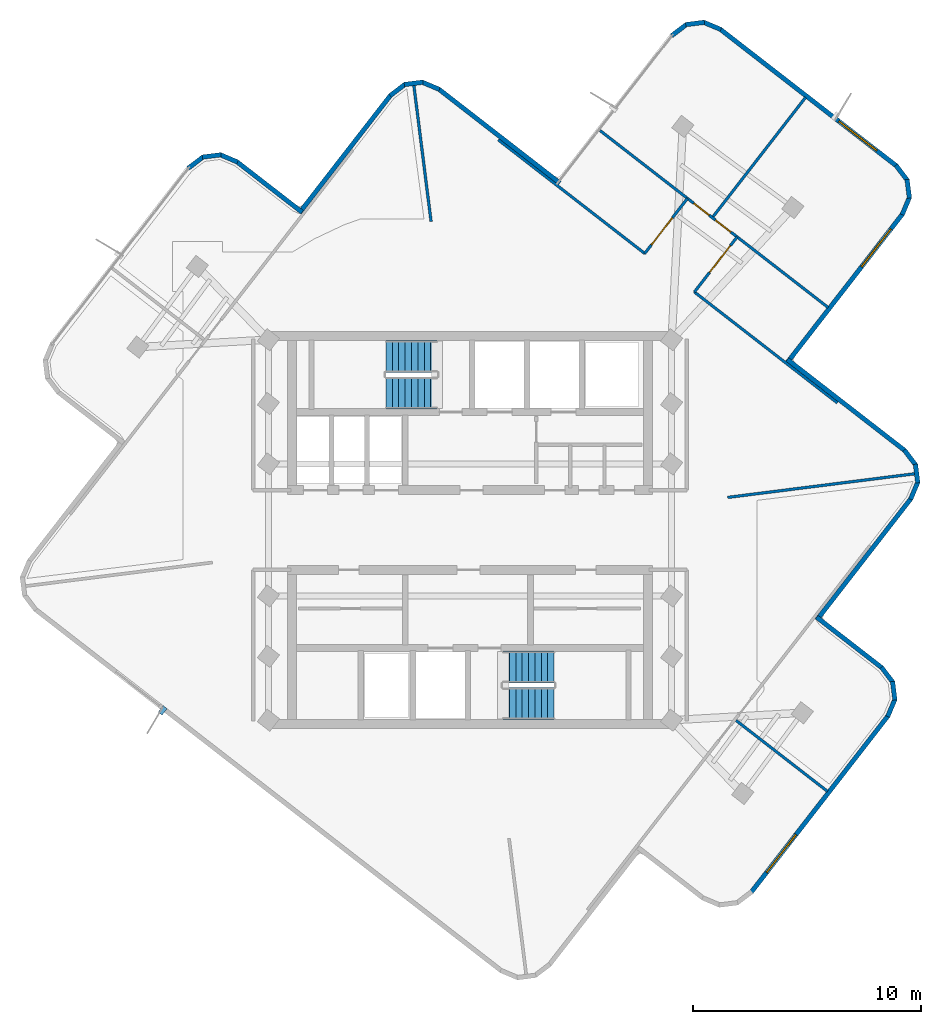
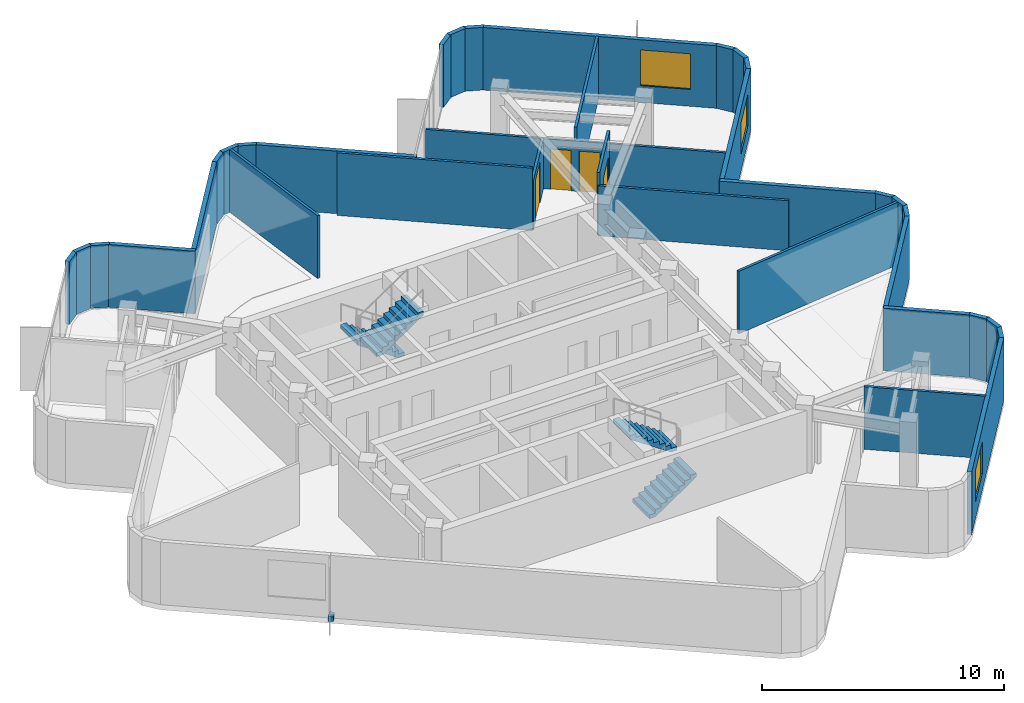
# One storey, part 7 of 10: 36 walls, 4 doors, 4 stair flights, 3 windows, 1 discrete accessory, 7 openings, 2 elements without a shape of their own.
"""IFC4 building model written with IfcOpenShell, lengths in metres."""

from ifc_helpers import new_model, si_unit, direction, frame, frame_2d, origin, origin_2d, place, context, subcontext, project, spatial, polyline, rectangle, outline, extrude, material, layer, layer_set, type_object, element, fill, aggregate, save


model = new_model("IFC4")

# Units and contexts
model_context = context("Model", 3, precision=1e-05, world=origin(), true_north=direction((0.0, 1.0)))
body_context = subcontext(model_context, "Body", "Model", "MODEL_VIEW")
ifc_project = project(units=[si_unit("LENGTHUNIT", "METRE"), si_unit("AREAUNIT", "SQUARE_METRE"), si_unit("VOLUMEUNIT", "CUBIC_METRE"), si_unit("PLANEANGLEUNIT", "RADIAN"), si_unit("MASSUNIT", "GRAM", prefix="KILO")], contexts=[model_context])

# Site, building, storey
site_placement = place(None, origin())
site = spatial("IfcSite", under=ifc_project, at=site_placement, CompositionType="ELEMENT")
building_placement = place(site_placement, origin())
building = spatial("IfcBuilding", under=site, at=building_placement, Name="Solmarez Civic Tower", CompositionType="ELEMENT")
storey_placement = place(building_placement, frame((0.0, 0.0, 261.179931640625)))
storey = spatial("IfcBuildingStorey", under=building, at=storey_placement, Name="L70", CompositionType="ELEMENT", Elevation=261.179931640625)

# Walls
ifc_material_1 = material(Name="Precast concrete C40/50", Category="concrete")
ifc_layer_1 = layer(ifc_material_1, 0.199951171875)
ifc_layer_set_1 = layer_set([ifc_layer_1], Name="Precast concrete C40/50")
wall_type_1 = type_object("IfcWallType", Name="WALL-EXT-200", PredefinedType="SOLIDWALL", material=ifc_layer_set_1)
wall_1_placement = place(storey_placement, frame((-12.3720703125, 15.876953125, 0.0), z_axis=(0.0, 0.0, 1.0), x_axis=(0.796493049564, 0.60464768419, 0.0)))
element("IfcWall", 1, at=wall_1_placement, inside=storey, type_object=wall_type_1, Name="L70 Exterior Precast Wall 18", PredefinedType="SOLIDWALL", context=body_context, shape_type="SweptSolid", body=[
    extrude(rectangle(XDim=0.838623046875, YDim=0.199951171875, at=frame_2d((0.41943359375, 0.0))), origin(), (0.0, 0.0, 1.0), 3.16015625),
])
wall_2_placement = place(storey_placement, frame((-11.7490234375, 16.365966796875, 0.0), z_axis=(0.0, 0.0, 1.0), x_axis=(0.992182038023, 0.124799052175, 0.0)))
element("IfcWall", 2, at=wall_2_placement, inside=storey, type_object=wall_type_1, Name="L70 Exterior Precast Wall 19", PredefinedType="SOLIDWALL", context=body_context, shape_type="SweptSolid", body=[
    extrude(rectangle(XDim=0.825439453125, YDim=0.199951171875, at=frame_2d((0.41259765625, 0.0))), origin(), (0.0, 0.0, 1.0), 3.16015625),
])
wall_3_placement = place(storey_placement, frame((-10.97802734375, 16.47607421875, 0.0), z_axis=(0.0, 0.0, 1.0), x_axis=(0.921328331513, -0.388785423532, 0.0)))
element("IfcWall", 3, at=wall_3_placement, inside=storey, type_object=wall_type_1, Name="L70 Exterior Precast Wall 20", PredefinedType="SOLIDWALL", context=body_context, shape_type="SweptSolid", body=[
    extrude(rectangle(XDim=0.8388671875, YDim=0.199951171875, at=frame_2d((0.41943359375, 0.0))), origin(), (0.0, 0.0, 1.0), 3.16015625),
])
wall_4_placement = place(storey_placement, frame((-10.248046875, 16.175048828125, 0.0), z_axis=(0.0, 0.0, 1.0), x_axis=(0.790239683444, -0.612797880797, 0.0)))
element("IfcWall", 4, at=wall_4_placement, inside=storey, type_object=wall_type_1, Name="L70 Exterior Precast Wall 21", PredefinedType="SOLIDWALL", context=body_context, shape_type="SweptSolid", body=[
    extrude(rectangle(XDim=3.640625, YDim=0.199951171875, at=frame_2d((1.8203125, 0.0))), origin(), (0.0, 0.0, 1.0), 3.16015625),
])
wall_5_placement = place(storey_placement, frame((-7.48291015625, 13.929931640625, 0.0), z_axis=(0.0, 0.0, 1.0), x_axis=(0.612826373036, 0.790217588081, 0.0)))
element("IfcWall", 5, at=wall_5_placement, inside=storey, type_object=wall_type_1, Name="L70 Exterior Precast Wall 24", PredefinedType="SOLIDWALL", context=body_context, shape_type="SweptSolid", body=[
    extrude(rectangle(XDim=6.54150390625, YDim=0.199951171875, at=frame_2d((3.270751953125, 0.0))), origin(), (0.0, 0.0, 1.0), 3.16015625),
])
wall_6_placement = place(storey_placement, frame((-3.509033203125, 19.06396484375, 0.0), z_axis=(0.0, 0.0, 1.0), x_axis=(0.797053904317, 0.603908166539, 0.0)))
element("IfcWall", 6, at=wall_6_placement, inside=storey, type_object=wall_type_1, Name="L70 Exterior Precast Wall 25", PredefinedType="SOLIDWALL", context=body_context, shape_type="SweptSolid", body=[
    extrude(rectangle(XDim=0.838134765625, YDim=0.199951171875, at=frame_2d((0.4189453125, 0.0))), origin(), (0.0, 0.0, 1.0), 3.16015625),
])
wall_7_placement = place(storey_placement, frame((-2.885986328125, 19.552001953125, 0.0), z_axis=(0.0, 0.0, 1.0), x_axis=(0.992182038023, 0.124799052175, 0.0)))
element("IfcWall", 7, at=wall_7_placement, inside=storey, type_object=wall_type_1, Name="L70 Exterior Precast Wall 26", PredefinedType="SOLIDWALL", context=body_context, shape_type="SweptSolid", body=[
    extrude(rectangle(XDim=0.825439453125, YDim=0.199951171875, at=frame_2d((0.41259765625, 0.0))), origin(), (0.0, 0.0, 1.0), 3.16015625),
])
wall_8_placement = place(storey_placement, frame((-2.114990234375, 19.662109375, 0.0), z_axis=(0.0, 0.0, 1.0), x_axis=(0.921569528133, -0.388213349612, 0.0)))
element("IfcWall", 8, at=wall_8_placement, inside=storey, type_object=wall_type_1, Name="L70 Exterior Precast Wall 27", PredefinedType="SOLIDWALL", context=body_context, shape_type="SweptSolid", body=[
    extrude(rectangle(XDim=0.837646484375, YDim=0.199951171875, at=frame_2d((0.4189453125, 0.0))), origin(), (0.0, 0.0, 1.0), 3.16015625),
])
wall_9_placement = place(storey_placement, frame((-1.385986328125, 19.362060546875, 0.0), z_axis=(0.0, 0.0, 1.0), x_axis=(0.790076990755, -0.613007625303, 0.0)))
element("IfcWall", 9, at=wall_9_placement, inside=storey, type_object=wall_type_1, Name="L70 Exterior Precast Wall 28", PredefinedType="SOLIDWALL", context=body_context, shape_type="SweptSolid", body=[
    extrude(rectangle(XDim=6.7421875, YDim=0.199951171875, at=frame_2d((3.37109375, 0.0))), origin(), (0.0, 0.0, 1.0), 3.16015625),
])
wall_10_placement = place(storey_placement, frame((8.845947265625, 21.693115234375, 0.0), z_axis=(0.0, 0.0, 1.0), x_axis=(0.796633253556, 0.604462951163, 0.0)))
element("IfcWall", 10, at=wall_10_placement, inside=storey, type_object=wall_type_1, Name="L70 Exterior Precast Wall 32", PredefinedType="SOLIDWALL", context=body_context, shape_type="SweptSolid", body=[
    extrude(rectangle(XDim=0.83837890625, YDim=0.199951171875, at=frame_2d((0.419189453125, 0.0))), origin(), (0.0, 0.0, 1.0), 3.16015625),
])
wall_11_placement = place(storey_placement, frame((9.468994140625, 22.181884765625, 0.0), z_axis=(0.0, 0.0, 1.0), x_axis=(0.992163581644, 0.124945697241, 0.0)))
element("IfcWall", 11, at=wall_11_placement, inside=storey, type_object=wall_type_1, Name="L70 Exterior Precast Wall 33", PredefinedType="SOLIDWALL", context=body_context, shape_type="SweptSolid", body=[
    extrude(rectangle(XDim=0.824462890625, YDim=0.199951171875, at=frame_2d((0.412109375, 0.0))), origin(), (0.0, 0.0, 1.0), 3.16015625),
])
wall_12_placement = place(storey_placement, frame((10.239013671875, 22.2919921875, 0.0), z_axis=(0.0, 0.0, 1.0), x_axis=(0.92184898946, -0.387549275101, 0.0)))
element("IfcWall", 12, at=wall_12_placement, inside=storey, type_object=wall_type_1, Name="L70 Exterior Precast Wall 34", PredefinedType="SOLIDWALL", context=body_context, shape_type="SweptSolid", body=[
    extrude(rectangle(XDim=0.83837890625, YDim=0.199951171875, at=frame_2d((0.419189453125, 0.0))), origin(), (0.0, 0.0, 1.0), 3.16015625),
])

# Wall, opening, window
wall_13_placement = place(storey_placement, frame((10.968994140625, 21.991943359375, 0.0), z_axis=(0.0, 0.0, 1.0), x_axis=(0.790145127041, -0.612919797537, 0.0)))
wall_13 = element("IfcWall", 13, at=wall_13_placement, inside=storey, type_object=wall_type_1, Name="L70 Exterior Precast Wall 35", PredefinedType="SOLIDWALL", context=body_context, shape_type="SweptSolid", body=[
    extrude(rectangle(XDim=9.823486328125, YDim=0.199951171875, at=frame_2d((4.91162109375, 0.0))), origin(), (0.0, 0.0, 1.0), 3.16015625),
])
opening_1_placement = place(wall_13_placement, frame((6.612060546875, 0.0, 0.85009765625)))
opening_1 = element("IfcOpeningElement", 14, at=opening_1_placement, cuts=wall_13, Name="Opening W-07", PredefinedType="OPENING", context=body_context, shape_type="SweptSolid", body=[
    extrude(rectangle(XDim=2.10009765625, YDim=1.800048828125, at=frame_2d((1.050048828125, 0.89990234375))), frame((0.0, 0.10986328125, 0.0), z_axis=(0.0, -1.0, 0.0), x_axis=(1.0, 0.0, 0.0)), (0.0, 0.0, 1.0), 0.219970703125),
])
ifc_material_2 = material(Name="Solar Control Bronze-Tinted Insulating Glass", Category="glass")
window_type_1 = type_object("IfcWindowType", Name="WIN-2100X1800", PartitioningType="SINGLE_PANEL", PredefinedType="WINDOW", material=ifc_material_2)
window_1_placement = place(opening_1_placement, origin())
window_1 = element("IfcWindow", 15, at=window_1_placement, inside=storey, type_object=window_type_1, Name="L70 Exterior Facade Window 35", OverallHeight=1.800048828125, OverallWidth=2.10009765625, PartitioningType="SINGLE_PANEL", PredefinedType="WINDOW", context=body_context, shape_type="SweptSolid", body=[
    extrude(rectangle(XDim=2.10009765625, YDim=1.800048828125, at=frame_2d((1.050048828125, 0.89990234375))), frame((0.0, 0.030029296875, 0.0), z_axis=(0.0, -1.0, 0.0), x_axis=(1.0, 0.0, 0.0)), (0.0, 0.0, 1.0), 0.06005859375),
])
fill(opening_1, window_1)

# Walls
wall_14_placement = place(storey_placement, frame((18.696044921875, 16.006103515625, 0.0), z_axis=(0.0, 0.0, 1.0), x_axis=(0.604322767077, -0.796739601873, 0.0)))
element("IfcWall", 16, at=wall_14_placement, inside=storey, type_object=wall_type_1, Name="L70 Exterior Precast Wall 36", PredefinedType="SOLIDWALL", context=body_context, shape_type="SweptSolid", body=[
    extrude(rectangle(XDim=0.838623046875, YDim=0.199951171875, at=frame_2d((0.41943359375, 0.0))), origin(), (0.0, 0.0, 1.0), 3.16015625),
])
wall_15_placement = place(storey_placement, frame((19.18505859375, 15.383056640625, 0.0), z_axis=(0.0, 0.0, 1.0), x_axis=(0.124945697241, -0.992163581644, 0.0)))
element("IfcWall", 17, at=wall_15_placement, inside=storey, type_object=wall_type_1, Name="L70 Exterior Precast Wall 37", PredefinedType="SOLIDWALL", context=body_context, shape_type="SweptSolid", body=[
    extrude(rectangle(XDim=0.824462890625, YDim=0.199951171875, at=frame_2d((0.412109375, 0.0))), origin(), (0.0, 0.0, 1.0), 3.16015625),
])
wall_16_placement = place(storey_placement, frame((19.294921875, 14.613037109375, 0.0), z_axis=(0.0, 0.0, 1.0), x_axis=(-0.387549275101, -0.92184898946, 0.0)))
element("IfcWall", 18, at=wall_16_placement, inside=storey, type_object=wall_type_1, Name="L70 Exterior Precast Wall 38", PredefinedType="SOLIDWALL", context=body_context, shape_type="SweptSolid", body=[
    extrude(rectangle(XDim=0.83837890625, YDim=0.199951171875, at=frame_2d((0.419189453125, 0.0))), origin(), (0.0, 0.0, 1.0), 3.16015625),
])

# Wall, opening, window
wall_17_placement = place(storey_placement, frame((18.9951171875, 13.883056640625, 0.0), z_axis=(0.0, 0.0, 1.0), x_axis=(-0.612894114019, -0.790165049215, 0.0)))
wall_17 = element("IfcWall", 19, at=wall_17_placement, inside=storey, type_object=wall_type_1, Name="L70 Exterior Precast Wall 39", PredefinedType="SOLIDWALL", context=body_context, shape_type="SweptSolid", body=[
    extrude(rectangle(XDim=8.2412109375, YDim=0.199951171875, at=frame_2d((4.12060546875, 0.0))), origin(), (0.0, 0.0, 1.0), 3.16015625),
])
opening_2_placement = place(wall_17_placement, frame((0.85009765625, 0.0, 0.85009765625)))
opening_2 = element("IfcOpeningElement", 20, at=opening_2_placement, cuts=wall_17, Name="Opening W-11", PredefinedType="OPENING", context=body_context, shape_type="SweptSolid", body=[
    extrude(rectangle(XDim=2.10009765625, YDim=1.60009765625, at=frame_2d((1.050048828125, 0.800048828125))), frame((0.0, 0.10986328125, 0.0), z_axis=(0.0, -1.0, 0.0), x_axis=(1.0, 0.0, 0.0)), (0.0, 0.0, 1.0), 0.219970703125),
])
window_type_2 = type_object("IfcWindowType", Name="WIN-2100X1600", PartitioningType="SINGLE_PANEL", PredefinedType="WINDOW", material=ifc_material_2)
window_2_placement = place(opening_2_placement, origin())
window_2 = element("IfcWindow", 21, at=window_2_placement, inside=storey, type_object=window_type_2, Name="L70 Exterior Facade Window 39", OverallHeight=1.60009765625, OverallWidth=2.10009765625, PartitioningType="SINGLE_PANEL", PredefinedType="WINDOW", context=body_context, shape_type="SweptSolid", body=[
    extrude(rectangle(XDim=2.10009765625, YDim=1.60009765625, at=frame_2d((1.050048828125, 0.800048828125))), frame((0.0, 0.030029296875, 0.0), z_axis=(0.0, -1.0, 0.0), x_axis=(1.0, 0.0, 0.0)), (0.0, 0.0, 1.0), 0.06005859375),
])
fill(opening_2, window_2)

# Walls
wall_18_placement = place(storey_placement, frame((13.929931640625, 7.48291015625, 0.0), z_axis=(0.0, 0.0, 1.0), x_axis=(0.790217588081, -0.612826373036, 0.0)))
element("IfcWall", 22, at=wall_18_placement, inside=storey, type_object=wall_type_1, Name="L70 Exterior Precast Wall 42", PredefinedType="SOLIDWALL", context=body_context, shape_type="SweptSolid", body=[
    extrude(rectangle(XDim=6.54150390625, YDim=0.199951171875, at=frame_2d((3.270751953125, 0.0))), origin(), (0.0, 0.0, 1.0), 3.16015625),
])
wall_19_placement = place(storey_placement, frame((19.06396484375, 3.509033203125, 0.0), z_axis=(0.0, 0.0, 1.0), x_axis=(0.603908166539, -0.797053904317, 0.0)))
element("IfcWall", 23, at=wall_19_placement, inside=storey, type_object=wall_type_1, Name="L70 Exterior Precast Wall 43", PredefinedType="SOLIDWALL", context=body_context, shape_type="SweptSolid", body=[
    extrude(rectangle(XDim=0.838134765625, YDim=0.199951171875, at=frame_2d((0.4189453125, 0.0))), origin(), (0.0, 0.0, 1.0), 3.16015625),
])
wall_20_placement = place(storey_placement, frame((19.552001953125, 2.885986328125, 0.0), z_axis=(0.0, 0.0, 1.0), x_axis=(0.124799052175, -0.992182038023, 0.0)))
element("IfcWall", 24, at=wall_20_placement, inside=storey, type_object=wall_type_1, Name="L70 Exterior Precast Wall 44", PredefinedType="SOLIDWALL", context=body_context, shape_type="SweptSolid", body=[
    extrude(rectangle(XDim=0.825439453125, YDim=0.199951171875, at=frame_2d((0.41259765625, 0.0))), origin(), (0.0, 0.0, 1.0), 3.16015625),
])
wall_21_placement = place(storey_placement, frame((19.662109375, 2.114990234375, 0.0), z_axis=(0.0, 0.0, 1.0), x_axis=(-0.388213349612, -0.921569528133, 0.0)))
element("IfcWall", 25, at=wall_21_placement, inside=storey, type_object=wall_type_1, Name="L70 Exterior Precast Wall 45", PredefinedType="SOLIDWALL", context=body_context, shape_type="SweptSolid", body=[
    extrude(rectangle(XDim=0.837646484375, YDim=0.199951171875, at=frame_2d((0.4189453125, 0.0))), origin(), (0.0, 0.0, 1.0), 3.16015625),
])
wall_22_placement = place(storey_placement, frame((19.362060546875, 1.385986328125, 0.0), z_axis=(0.0, 0.0, 1.0), x_axis=(-0.613007625303, -0.790076990755, 0.0)))
element("IfcWall", 26, at=wall_22_placement, inside=storey, type_object=wall_type_1, Name="L70 Exterior Precast Wall 46", PredefinedType="SOLIDWALL", context=body_context, shape_type="SweptSolid", body=[
    extrude(rectangle(XDim=6.7421875, YDim=0.199951171875, at=frame_2d((3.37109375, 0.0))), origin(), (0.0, 0.0, 1.0), 3.16015625),
])
wall_23_placement = place(storey_placement, frame((15.215087890625, -3.8291015625, 0.0), z_axis=(0.0, 0.0, 1.0), x_axis=(0.790311198889, -0.612705646221, 0.0)))
element("IfcWall", 27, at=wall_23_placement, inside=storey, type_object=wall_type_1, Name="L70 Exterior Precast Wall 49", PredefinedType="SOLIDWALL", context=body_context, shape_type="SweptSolid", body=[
    extrude(rectangle(XDim=3.642822265625, YDim=0.199951171875, at=frame_2d((1.8212890625, 0.0))), origin(), (0.0, 0.0, 1.0), 3.16015625),
])
wall_24_placement = place(storey_placement, frame((18.05908203125, -6.02587890625, 0.0), z_axis=(0.0, 0.0, 1.0), x_axis=(0.603582833373, -0.797300296787, 0.0)))
element("IfcWall", 28, at=wall_24_placement, inside=storey, type_object=wall_type_1, Name="L70 Exterior Precast Wall 50", PredefinedType="SOLIDWALL", context=body_context, shape_type="SweptSolid", body=[
    extrude(rectangle(XDim=0.838134765625, YDim=0.199951171875, at=frame_2d((0.4189453125, 0.0))), origin(), (0.0, 0.0, 1.0), 3.16015625),
])
wall_25_placement = place(storey_placement, frame((18.547119140625, -6.64892578125, 0.0), z_axis=(0.0, 0.0, 1.0), x_axis=(0.124507909692, -0.992218615238, 0.0)))
element("IfcWall", 29, at=wall_25_placement, inside=storey, type_object=wall_type_1, Name="L70 Exterior Precast Wall 51", PredefinedType="SOLIDWALL", context=body_context, shape_type="SweptSolid", body=[
    extrude(rectangle(XDim=0.825439453125, YDim=0.199951171875, at=frame_2d((0.41259765625, 0.0))), origin(), (0.0, 0.0, 1.0), 3.16015625),
])
wall_26_placement = place(storey_placement, frame((18.656982421875, -7.419921875, 0.0), z_axis=(0.0, 0.0, 1.0), x_axis=(-0.387965780676, -0.921673777985, 0.0)))
element("IfcWall", 30, at=wall_26_placement, inside=storey, type_object=wall_type_1, Name="L70 Exterior Precast Wall 52", PredefinedType="SOLIDWALL", context=body_context, shape_type="SweptSolid", body=[
    extrude(rectangle(XDim=0.837646484375, YDim=0.199951171875, at=frame_2d((0.4189453125, 0.0))), origin(), (0.0, 0.0, 1.0), 3.16015625),
])

# Wall, opening, window
wall_27_placement = place(storey_placement, frame((18.35693359375, -8.14892578125, 0.0), z_axis=(0.0, 0.0, 1.0), x_axis=(-0.612797548915, -0.790239940806, 0.0)))
wall_27 = element("IfcWall", 31, at=wall_27_placement, inside=storey, type_object=wall_type_1, Name="L70 Exterior Precast Wall 53", PredefinedType="SOLIDWALL", context=body_context, shape_type="SweptSolid", body=[
    extrude(rectangle(XDim=9.82373046875, YDim=0.199951171875, at=frame_2d((4.911865234375, 0.0))), origin(), (0.0, 0.0, 1.0), 3.16015625),
])
opening_3_placement = place(wall_27_placement, frame((6.612060546875, 0.0, 0.85009765625)))
opening_3 = element("IfcOpeningElement", 32, at=opening_3_placement, cuts=wall_27, Name="Opening W-11", PredefinedType="OPENING", context=body_context, shape_type="SweptSolid", body=[
    extrude(rectangle(XDim=2.10009765625, YDim=1.60009765625, at=frame_2d((1.050048828125, 0.800048828125))), frame((0.0, 0.10986328125, 0.0), z_axis=(0.0, -1.0, 0.0), x_axis=(1.0, 0.0, 0.0)), (0.0, 0.0, 1.0), 0.219970703125),
])
window_3_placement = place(opening_3_placement, origin())
window_3 = element("IfcWindow", 33, at=window_3_placement, inside=storey, type_object=window_type_2, Name="L70 Exterior Facade Window 53", OverallHeight=1.60009765625, OverallWidth=2.10009765625, PartitioningType="SINGLE_PANEL", PredefinedType="WINDOW", context=body_context, shape_type="SweptSolid", body=[
    extrude(rectangle(XDim=2.10009765625, YDim=1.60009765625, at=frame_2d((1.050048828125, 0.800048828125))), frame((0.0, 0.030029296875, 0.0), z_axis=(0.0, -1.0, 0.0), x_axis=(1.0, 0.0, 0.0)), (0.0, 0.0, 1.0), 0.06005859375),
])
fill(opening_3, window_3)

# Walls
ifc_material_3 = material(Name="Gypsum Board Acoustic Steel-Stud Partition", Category="steel")
ifc_layer_2 = layer(ifc_material_3, 0.1201171875)
ifc_layer_set_2 = layer_set([ifc_layer_2], Name="Gypsum Board Acoustic Steel-Stud Partition")
wall_type_2 = type_object("IfcWallType", Name="WALL-INT-PART-120", PredefinedType="PARTITIONING", material=ifc_layer_set_2)
wall_28_placement = place(storey_placement, frame((-1.7109375, 13.5400390625, 0.0), z_axis=(0.0, 0.0, 1.0), x_axis=(-0.125366398214, 0.992110511082, 0.0)))
element("IfcWall", 34, at=wall_28_placement, inside=storey, type_object=wall_type_2, Name="L70 Interior Partition PT-L70-QDIV-1", PredefinedType="PARTITIONING", context=body_context, shape_type="SweptSolid", body=[
    extrude(rectangle(XDim=6.046630859375, YDim=0.1201171875, at=frame_2d((3.0234375, 0.0))), origin(), (0.0, 0.0, 1.0), 3.16015625),
])
wall_29_placement = place(storey_placement, frame((11.31005859375, 1.428955078125, 0.0), z_axis=(0.0, 0.0, 1.0), x_axis=(0.992107592132, 0.125389495712, 0.0)))
element("IfcWall", 35, at=wall_29_placement, inside=storey, type_object=wall_type_2, Name="L70 Interior Partition PT-L70-QDIV-4", PredefinedType="PARTITIONING", context=body_context, shape_type="SweptSolid", body=[
    extrude(rectangle(XDim=8.29443359375, YDim=0.1201171875, at=frame_2d((4.147216796875, 0.0))), origin(), (0.0, 0.0, 1.0), 3.16015625),
])
wall_30_placement = place(storey_placement, frame((7.676025390625, 12.131103515625, 0.0), z_axis=(0.0, 0.0, 1.0), x_axis=(-0.790137186805, 0.61293003355, 0.0)))
element("IfcWall", 36, at=wall_30_placement, inside=storey, type_object=wall_type_2, Name="L70 Interior Partition PT-L70-E-EFL", PredefinedType="PARTITIONING", context=body_context, shape_type="SweptSolid", body=[
    extrude(rectangle(XDim=8.149169921875, YDim=0.1201171875, at=frame_2d((4.07470703125, 0.0))), origin(), (0.0, 0.0, 1.0), 3.16015625),
])
wall_31_placement = place(storey_placement, frame((16.1220703125, 5.577880859375, 0.0), z_axis=(0.0, 0.0, 1.0), x_axis=(-0.7900346363, 0.613062210094, 0.0)))
element("IfcWall", 37, at=wall_31_placement, inside=storey, type_object=wall_type_2, Name="L70 Interior Partition PT-L70-E-EFR", PredefinedType="PARTITIONING", context=body_context, shape_type="SweptSolid", body=[
    extrude(rectangle(XDim=7.9501953125, YDim=0.1201171875, at=frame_2d((3.97509765625, 0.0))), origin(), (0.0, 0.0, 1.0), 2.530029296875),
])

# Wall, opening, door
wall_32_placement = place(storey_placement, frame((9.5439453125, 14.554931640625, 0.0), z_axis=(0.0, 0.0, 1.0), x_axis=(-0.612990234131, -0.79009048397, 0.0)))
wall_32 = element("IfcWall", 38, at=wall_32_placement, inside=storey, type_object=wall_type_2, Name="L70 Interior Partition PT-L70-E-SL", PredefinedType="PARTITIONING", context=body_context, shape_type="SweptSolid", body=[
    extrude(rectangle(XDim=3.060302734375, YDim=0.1201171875, at=frame_2d((1.5302734375, 0.0))), origin(), (0.0, 0.0, 1.0), 2.530029296875),
])
opening_4_placement = place(wall_32_placement, frame((1.080078125, 0.0, 0.0)))
opening_4 = element("IfcOpeningElement", 39, at=opening_4_placement, cuts=wall_32, Name="Opening D-16", PredefinedType="OPENING", context=body_context, shape_type="SweptSolid", body=[
    extrude(rectangle(XDim=1.5, YDim=2.1201171875, at=frame_2d((0.75, 1.06005859375))), frame((0.0, 0.070068359375, 0.0), z_axis=(0.0, -1.0, 0.0), x_axis=(1.0, 0.0, 0.0)), (0.0, 0.0, 1.0), 0.14013671875),
])
ifc_material_4 = material(Name="Diplomatic Protocol Reception Door", Category="wood")
door_type_1 = type_object("IfcDoorType", Name="DOOR-INT-1500", OperationType="NOTDEFINED", PredefinedType="DOOR", material=ifc_material_4)
door_1_placement = place(opening_4_placement, origin())
door_1 = element("IfcDoor", 40, at=door_1_placement, inside=storey, type_object=door_type_1, Name="L70 Executive Chamber Wellness Fitness Room East Door", OperationType="SINGLE_SWING_LEFT", OverallHeight=2.1201171875, OverallWidth=1.5, PredefinedType="DOOR", context=body_context, shape_type="SweptSolid", body=[
    extrude(rectangle(XDim=1.5, YDim=2.1201171875, at=frame_2d((0.75, 1.06005859375))), frame((0.0, 0.02490234375, 0.0), z_axis=(0.0, -1.0, 0.0), x_axis=(1.0, 0.0, 0.0)), (0.0, 0.0, 1.0), 0.050048828125),
])
fill(opening_4, door_1)

wall_33_placement = place(storey_placement, frame((9.84912109375, 10.446044921875, 0.0), z_axis=(0.0, 0.0, 1.0), x_axis=(0.612945563076, 0.790125139902, 0.0)))
wall_33 = element("IfcWall", 41, at=wall_33_placement, inside=storey, type_object=wall_type_2, Name="L70 Interior Partition PT-L70-E-SR", PredefinedType="PARTITIONING", context=body_context, shape_type="SweptSolid", body=[
    extrude(rectangle(XDim=3.05908203125, YDim=0.1201171875, at=frame_2d((1.529541015625, 0.0))), origin(), (0.0, 0.0, 1.0), 3.16015625),
])
opening_5_placement = place(wall_33_placement, frame((1.080078125, 0.0, 0.0)))
opening_5 = element("IfcOpeningElement", 42, at=opening_5_placement, cuts=wall_33, Name="Opening D-16", PredefinedType="OPENING", context=body_context, shape_type="SweptSolid", body=[
    extrude(rectangle(XDim=1.5, YDim=2.1201171875, at=frame_2d((0.75, 1.06005859375))), frame((0.0, 0.070068359375, 0.0), z_axis=(0.0, -1.0, 0.0), x_axis=(1.0, 0.0, 0.0)), (0.0, 0.0, 1.0), 0.14013671875),
])
door_2_placement = place(opening_5_placement, origin())
door_2 = element("IfcDoor", 43, at=door_2_placement, inside=storey, type_object=door_type_1, Name="L70 Citizen Legal Clinic East Door", OperationType="SINGLE_SWING_RIGHT", OverallHeight=2.1201171875, OverallWidth=1.5, PredefinedType="DOOR", context=body_context, shape_type="SweptSolid", body=[
    extrude(rectangle(XDim=1.5, YDim=2.1201171875, at=frame_2d((0.75, 1.06005859375))), frame((0.0, 0.02490234375, 0.0), z_axis=(0.0, -1.0, 0.0), x_axis=(1.0, 0.0, 0.0)), (0.0, 0.0, 1.0), 0.050048828125),
])
fill(opening_5, door_2)

# Wall
wall_34_placement = place(storey_placement, frame((10.6708984375, 13.757080078125, 0.0), z_axis=(0.0, 0.0, 1.0), x_axis=(0.61292966537, 0.790137472412, 0.0)))
element("IfcWall", 44, at=wall_34_placement, inside=storey, type_object=wall_type_2, Name="L70 Interior Partition PT-L70-E-TM", PredefinedType="PARTITIONING", context=body_context, shape_type="SweptSolid", body=[
    extrude(rectangle(XDim=6.6240234375, YDim=0.1201171875, at=frame_2d((3.31201171875, 0.0))), origin(), (0.0, 0.0, 1.0), 3.16015625),
])

# Wall, openings, doors
wall_35_placement = place(storey_placement, frame((5.70703125, 17.531005859375, 0.0), z_axis=(0.0, 0.0, 1.0), x_axis=(0.790153529347, -0.612908965557, 0.0)))
wall_35 = element("IfcWall", 45, at=wall_35_placement, inside=storey, type_object=wall_type_2, Name="L70 Interior Partition PT-L70-E-END", PredefinedType="PARTITIONING", context=body_context, shape_type="SweptSolid", body=[
    extrude(rectangle(XDim=12.6708984375, YDim=0.1201171875, at=frame_2d((6.33544921875, 0.0))), origin(), (0.0, 0.0, 1.0), 2.530029296875),
])
opening_6_placement = place(wall_35_placement, frame((6.405029296875, 0.0, 0.0)))
opening_6 = element("IfcOpeningElement", 46, at=opening_6_placement, cuts=wall_35, Name="Opening D-14", PredefinedType="OPENING", context=body_context, shape_type="SweptSolid", body=[
    extrude(rectangle(XDim=0.860107421875, YDim=2.0400390625, at=frame_2d((0.43017578125, 1.02001953125))), frame((0.0, 0.070068359375, 0.0), z_axis=(0.0, -1.0, 0.0), x_axis=(1.0, 0.0, 0.0)), (0.0, 0.0, 1.0), 0.14013671875),
])
opening_7_placement = place(wall_35_placement, frame((5.205078125, 0.0, 0.0)))
opening_7 = element("IfcOpeningElement", 47, at=opening_7_placement, cuts=wall_35, Name="Opening D-14", PredefinedType="OPENING", context=body_context, shape_type="SweptSolid", body=[
    extrude(rectangle(XDim=0.860107421875, YDim=2.0400390625, at=frame_2d((0.43017578125, 1.02001953125))), frame((0.0, 0.070068359375, 0.0), z_axis=(0.0, -1.0, 0.0), x_axis=(1.0, 0.0, 0.0)), (0.0, 0.0, 1.0), 0.14013671875),
])
ifc_material_5 = material(Name="Timber Storage and Pantry Door", Category="wood")
door_type_2 = type_object("IfcDoorType", Name="DOOR-INT-850", OperationType="NOTDEFINED", PredefinedType="DOOR", material=ifc_material_5)
door_3_placement = place(opening_6_placement, origin())
door_3 = element("IfcDoor", 48, at=door_3_placement, inside=storey, type_object=door_type_2, Name="L70 Delegates Study Lounge Sixth East Door", OperationType="SINGLE_SWING_RIGHT", OverallHeight=2.0400390625, OverallWidth=0.860107421875, PredefinedType="DOOR", context=body_context, shape_type="SweptSolid", body=[
    extrude(rectangle(XDim=0.860107421875, YDim=2.0400390625, at=frame_2d((0.43017578125, 1.02001953125))), frame((0.0, 0.02490234375, 0.0), z_axis=(0.0, -1.0, 0.0), x_axis=(1.0, 0.0, 0.0)), (0.0, 0.0, 1.0), 0.050048828125),
])
fill(opening_6, door_3)
door_4_placement = place(opening_7_placement, origin())
door_4 = element("IfcDoor", 49, at=door_4_placement, inside=storey, type_object=door_type_2, Name="L70 Public Reading Room Fifth East Door", OperationType="SINGLE_SWING_LEFT", OverallHeight=2.0400390625, OverallWidth=0.860107421875, PredefinedType="DOOR", context=body_context, shape_type="SweptSolid", body=[
    extrude(rectangle(XDim=0.860107421875, YDim=2.0400390625, at=frame_2d((0.43017578125, 1.02001953125))), frame((0.0, 0.02490234375, 0.0), z_axis=(0.0, -1.0, 0.0), x_axis=(1.0, 0.0, 0.0)), (0.0, 0.0, 1.0), 0.050048828125),
])
fill(opening_7, door_4)

# Wall
wall_36_placement = place(storey_placement, frame((11.676025390625, -8.361083984375, 0.0), z_axis=(0.0, 0.0, 1.0), x_axis=(0.790227868115, -0.612813117071, 0.0)))
element("IfcWall", 50, at=wall_36_placement, inside=storey, type_object=wall_type_2, Name="L70 Interior Partition PT-L70-S-ALM", PredefinedType="PARTITIONING", context=body_context, shape_type="SweptSolid", body=[
    extrude(rectangle(XDim=5.084716796875, YDim=0.1201171875, at=frame_2d((2.54248046875, 0.0))), origin(), (0.0, 0.0, 1.0), 3.16015625),
])

# Stair, stair flights
ifc_material_6 = material(Name="Concrete C50/60", Category="concrete")
stair_type = type_object("IfcStairType", Name="STAIR-DOGLEG-140W-18R-1900", PredefinedType="HALF_TURN_STAIR", material=ifc_material_6)
stair_1_placement = place(storey_placement, origin())
stair_1 = element("IfcStair", 51, at=stair_1_placement, inside=storey, type_object=stair_type, Name="L70 North Core Protected Exit Stair ST-1", PredefinedType="HALF_TURN_STAIR")
stair_flight_type = type_object("IfcStairFlightType", Name="FLIGHT-DOGLEG-140W-9R-1900", PredefinedType="STRAIGHT", material=ifc_material_6)
stair_flight_1_placement = place(storey_placement, frame((-1.449951171875, 7.6201171875, 0.0), z_axis=(0.0, 0.0, 1.0), x_axis=(-1.0, 0.0, 0.0)))
stair_flight_1 = element("IfcStairFlight", 52, at=stair_flight_1_placement, type_object=stair_flight_type, Name="ST-1 flight 1", NumberOfRisers=9, NumberOfTreads=8, PredefinedType="STRAIGHT", RiserHeight=0.19, TreadLength=0.28, context=body_context, shape_type="SweptSolid", body=[
    extrude(outline(polyline([(0.0, 0.0), (0.0, 0.18994140625), (0.280029296875, 0.18994140625), (0.280029296875, 0.3798828125), (0.56005859375, 0.3798828125), (0.56005859375, 0.570068359375), (0.840087890625, 0.570068359375), (0.840087890625, 0.760009765625), (1.1201171875, 0.760009765625), (1.1201171875, 0.949951171875), (1.39990234375, 0.949951171875), (1.39990234375, 1.139892578125), (1.679931640625, 1.139892578125), (1.679931640625, 1.330078125), (1.9599609375, 1.330078125), (1.9599609375, 1.52001953125), (2.239990234375, 1.52001953125), (2.239990234375, 1.7099609375), (2.239990234375, 1.32666015625), (0.284912109375, 0.0), (0.0, 0.0)])), frame((0.0, 0.699951171875, 0.0), z_axis=(0.0, -1.0, 0.0), x_axis=(1.0, 0.0, 0.0)), (0.0, 0.0, 1.0), 1.39990234375),
])
stair_flight_2_placement = place(storey_placement, frame((-3.68994140625, 6.02001953125, 1.7099609375), z_axis=(0.0, 0.0, 1.0), x_axis=(1.0, 0.0, 0.0)))
stair_flight_2 = element("IfcStairFlight", 53, at=stair_flight_2_placement, type_object=stair_flight_type, Name="ST-1 flight 2", NumberOfRisers=9, NumberOfTreads=8, PredefinedType="STRAIGHT", RiserHeight=0.19, TreadLength=0.28, context=body_context, shape_type="SweptSolid", body=[
    extrude(outline(polyline([(0.0, 0.0), (0.0, 0.18994140625), (0.280029296875, 0.18994140625), (0.280029296875, 0.3798828125), (0.56005859375, 0.3798828125), (0.56005859375, 0.570068359375), (0.840087890625, 0.570068359375), (0.840087890625, 0.760009765625), (1.1201171875, 0.760009765625), (1.1201171875, 0.949951171875), (1.39990234375, 0.949951171875), (1.39990234375, 1.139892578125), (1.679931640625, 1.139892578125), (1.679931640625, 1.330078125), (1.9599609375, 1.330078125), (1.9599609375, 1.52001953125), (2.239990234375, 1.52001953125), (2.239990234375, 1.7099609375), (2.239990234375, 1.32666015625), (0.284912109375, 0.0), (0.0, 0.0)])), frame((0.0, 0.699951171875, 0.0), z_axis=(0.0, -1.0, 0.0), x_axis=(1.0, 0.0, 0.0)), (0.0, 0.0, 1.0), 1.39990234375),
])
aggregate(stair_1, [stair_flight_1, stair_flight_2])

stair_2_placement = place(storey_placement, origin())
stair_2 = element("IfcStair", 54, at=stair_2_placement, inside=storey, type_object=stair_type, Name="L70 South Core Protected Exit Stair ST-2", PredefinedType="HALF_TURN_STAIR")
stair_flight_3_placement = place(storey_placement, frame((1.449951171875, -7.6201171875, 0.0), z_axis=(0.0, 0.0, 1.0), x_axis=(1.0, 0.0, 0.0)))
stair_flight_3 = element("IfcStairFlight", 55, at=stair_flight_3_placement, type_object=stair_flight_type, Name="ST-2 flight 1", NumberOfRisers=9, NumberOfTreads=8, PredefinedType="STRAIGHT", RiserHeight=0.19, TreadLength=0.28, context=body_context, shape_type="SweptSolid", body=[
    extrude(outline(polyline([(0.0, 0.0), (0.0, 0.18994140625), (0.280029296875, 0.18994140625), (0.280029296875, 0.3798828125), (0.56005859375, 0.3798828125), (0.56005859375, 0.570068359375), (0.840087890625, 0.570068359375), (0.840087890625, 0.760009765625), (1.1201171875, 0.760009765625), (1.1201171875, 0.949951171875), (1.39990234375, 0.949951171875), (1.39990234375, 1.139892578125), (1.679931640625, 1.139892578125), (1.679931640625, 1.330078125), (1.9599609375, 1.330078125), (1.9599609375, 1.52001953125), (2.239990234375, 1.52001953125), (2.239990234375, 1.7099609375), (2.239990234375, 1.32666015625), (0.284912109375, 0.0), (0.0, 0.0)])), frame((0.0, 0.699951171875, 0.0), z_axis=(0.0, -1.0, 0.0), x_axis=(1.0, 0.0, 0.0)), (0.0, 0.0, 1.0), 1.39990234375),
])
stair_flight_4_placement = place(storey_placement, frame((3.68994140625, -6.02001953125, 1.7099609375), z_axis=(0.0, 0.0, 1.0), x_axis=(-1.0, 0.0, 0.0)))
stair_flight_4 = element("IfcStairFlight", 56, at=stair_flight_4_placement, type_object=stair_flight_type, Name="ST-2 flight 2", NumberOfRisers=9, NumberOfTreads=8, PredefinedType="STRAIGHT", RiserHeight=0.19, TreadLength=0.28, context=body_context, shape_type="SweptSolid", body=[
    extrude(outline(polyline([(0.0, 0.0), (0.0, 0.18994140625), (0.280029296875, 0.18994140625), (0.280029296875, 0.3798828125), (0.56005859375, 0.3798828125), (0.56005859375, 0.570068359375), (0.840087890625, 0.570068359375), (0.840087890625, 0.760009765625), (1.1201171875, 0.760009765625), (1.1201171875, 0.949951171875), (1.39990234375, 0.949951171875), (1.39990234375, 1.139892578125), (1.679931640625, 1.139892578125), (1.679931640625, 1.330078125), (1.9599609375, 1.330078125), (1.9599609375, 1.52001953125), (2.239990234375, 1.52001953125), (2.239990234375, 1.7099609375), (2.239990234375, 1.32666015625), (0.284912109375, 0.0), (0.0, 0.0)])), frame((0.0, 0.699951171875, 0.0), z_axis=(0.0, -1.0, 0.0), x_axis=(1.0, 0.0, 0.0)), (0.0, 0.0, 1.0), 1.39990234375),
])
aggregate(stair_2, [stair_flight_3, stair_flight_4])

# Discrete accessory
ifc_material_7 = material(Name="Stainless Steel Grade 1.4401", Category="steel")
discrete_accessory_type = type_object("IfcDiscreteAccessoryType", Name="BRACKET-SS-FIN", PredefinedType="BRACKET", material=ifc_material_7)
discrete_accessory_placement = place(storey_placement, frame((-13.4951171875, -7.9208984375, -0.06005859375), z_axis=(0.0, 0.0, 1.0), x_axis=(-0.612888531204, -0.790169379512, 0.0)))
element("IfcDiscreteAccessory", 57, at=discrete_accessory_placement, inside=storey, type_object=discrete_accessory_type, Name="L70 Stainless Fin Support Bracket FIN-L70-01", PredefinedType="BRACKET", context=body_context, shape_type="SweptSolid", body=[
    extrude(rectangle(XDim=0.360107421875, YDim=0.219970703125, at=origin_2d()), origin(), (0.0, 0.0, 1.0), 0.239990234375),
])

save(model, "model.ifc")
